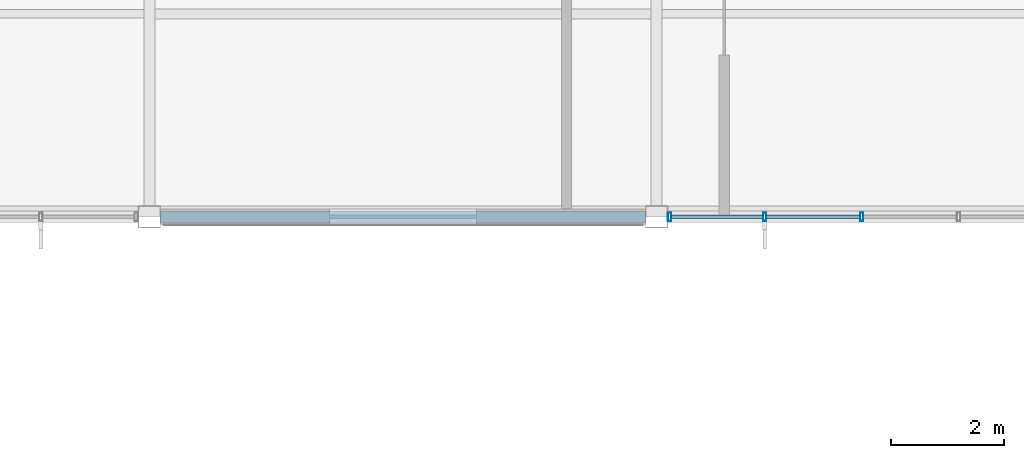
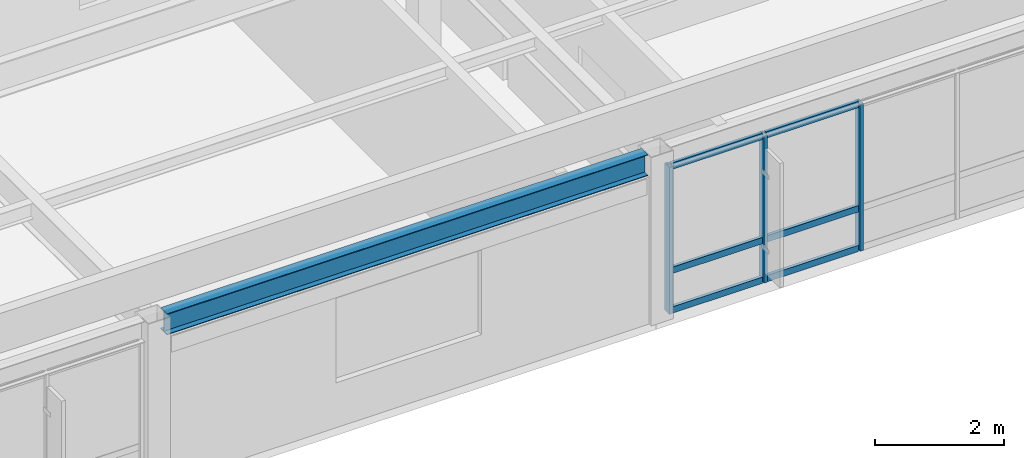
# One storey, part 5 of 43: 9 members, 1 beam, 1 element without a shape of its own.
"""IFC4 building model written with IfcOpenShell, lengths in metres."""

from ifc_helpers import new_model, si_unit, direction, frame, origin, origin_2d, place, context, subcontext, project, spatial, hollow_rectangle, i_section, extrude, material, material_profile, profile_set, type_object, element, aggregate, save


model = new_model("IFC4")

# Units and contexts
model_context = context("Model", 3, precision=1e-05, world=origin(), true_north=direction((0.0, 1.0)))
body_context = subcontext(model_context, "Body", "Model", "MODEL_VIEW")
ifc_project = project(units=[si_unit("LENGTHUNIT", "METRE"), si_unit("AREAUNIT", "SQUARE_METRE"), si_unit("VOLUMEUNIT", "CUBIC_METRE"), si_unit("PLANEANGLEUNIT", "RADIAN"), si_unit("MASSUNIT", "GRAM", prefix="KILO")], contexts=[model_context])

# Site, building, storey
site_placement = place(None, origin())
site = spatial("IfcSite", under=ifc_project, at=site_placement, CompositionType="ELEMENT")
building_placement = place(site_placement, origin())
building = spatial("IfcBuilding", under=site, at=building_placement, Name="Kazanami Central Library", CompositionType="ELEMENT")
storey_placement = place(building_placement, frame((0.0, 0.0, 20.60009765625)))
storey = spatial("IfcBuildingStorey", under=building, at=storey_placement, Name="L06", CompositionType="ELEMENT", Elevation=20.60009765625)

# Beam
ifc_material_1 = material(Name="Steel SN490B (325 MPa)", Category="steel")
ifc_material_profile_1 = material_profile(ifc_material_1, i_section(OverallWidth=0.199951171875, OverallDepth=0.39990234375, WebThickness=0.008056640625, FlangeThickness=0.012939453125, at=origin_2d()), Name="H-400x200x8x13")
ifc_profile_set_1 = profile_set([ifc_material_profile_1], Name="Steel SN490B (325 MPa)")
beam_type = type_object("IfcBeamType", Name="BM-SP-3", PredefinedType="SPANDREL", material=ifc_profile_set_1)
beam_placement = place(storey_placement, frame((9.197998046875, 64.800048828125, 2.97998046875), z_axis=(1.0, 0.0, 0.0), x_axis=(0.0, 1.0, 0.0)))
element("IfcBeam", 1, at=beam_placement, inside=storey, type_object=beam_type, Name="Girder SP-3 L06 K/2-3", PredefinedType="SPANDREL", context=body_context, shape_type="SweptSolid", body=[
    extrude(i_section(OverallWidth=0.199951171875, OverallDepth=0.39990234375, WebThickness=0.008056640625, FlangeThickness=0.012939453125, at=origin_2d()), origin(), (0.0, 0.0, 1.0), 8.60400390625),
])

# Curtain wall, members
ifc_material_2 = material(Name="Acid-Etched Low-E Laminated Glass", Category="glass")
curtain_wall_type = type_object("IfcCurtainWallType", Name="CW-8600x2780-M180", PredefinedType="USERDEFINED", material=ifc_material_2)
curtain_wall_placement = place(storey_placement, origin())
curtain_wall = element("IfcCurtainWall", 2, at=curtain_wall_placement, inside=storey, type_object=curtain_wall_type, Name="Unitised Curtain Wall CW-57 L06 S-K-02", ObjectType="UNITISED CURTAIN WALL", PredefinedType="USERDEFINED")
ifc_material_3 = material(Name="Anodised Aluminium A6063-T5", Category="aluminium")
ifc_material_profile_2 = material_profile(ifc_material_3, hollow_rectangle(XDim=0.06005859375, YDim=0.14990234375, WallThickness=0.00390625, at=origin_2d()), Name="ALU-MULL-60x150x4")
ifc_profile_set_2 = profile_set([ifc_material_profile_2], Name="Anodised Aluminium A6063-T5")
member_type_1 = type_object("IfcMemberType", Name="MEM-CW-M3", PredefinedType="MULLION", material=ifc_profile_set_2)
member_1_placement = place(storey_placement, frame((18.22998046875, 64.800048828125, 0.0), z_axis=(0.0, 0.0, 1.0), x_axis=(1.0, 0.0, 0.0)))
member_1 = element("IfcMember", 3, at=member_1_placement, type_object=member_type_1, Name="CW-57 mullion 1", PredefinedType="MULLION", context=body_context, shape_type="SweptSolid", body=[
    extrude(hollow_rectangle(XDim=0.06005859375, YDim=0.14990234375, WallThickness=0.00390625, at=origin_2d()), origin(), (0.0, 0.0, 1.0), 2.77978515625),
])
member_2_placement = place(storey_placement, frame((19.919921875, 64.800048828125, 0.0), z_axis=(0.0, 0.0, 1.0), x_axis=(1.0, 0.0, 0.0)))
member_2 = element("IfcMember", 4, at=member_2_placement, type_object=member_type_1, Name="CW-57 mullion 2", PredefinedType="MULLION", context=body_context, shape_type="SweptSolid", body=[
    extrude(hollow_rectangle(XDim=0.06005859375, YDim=0.14990234375, WallThickness=0.00390625, at=origin_2d()), origin(), (0.0, 0.0, 1.0), 2.77978515625),
])
member_3_placement = place(storey_placement, frame((21.639892578125, 64.800048828125, 0.0), z_axis=(0.0, 0.0, 1.0), x_axis=(1.0, 0.0, 0.0)))
member_3 = element("IfcMember", 5, at=member_3_placement, type_object=member_type_1, Name="CW-57 mullion 3", PredefinedType="MULLION", context=body_context, shape_type="SweptSolid", body=[
    extrude(hollow_rectangle(XDim=0.06005859375, YDim=0.14990234375, WallThickness=0.00390625, at=origin_2d()), origin(), (0.0, 0.0, 1.0), 2.77978515625),
])
ifc_material_profile_3 = material_profile(ifc_material_3, hollow_rectangle(XDim=0.06005859375, YDim=0.1201171875, WallThickness=0.00341796875, at=origin_2d()), Name="ALU-TRAN-60x120x3.5")
ifc_profile_set_3 = profile_set([ifc_material_profile_3], Name="Anodised Aluminium A6063-T5")
member_type_2 = type_object("IfcMemberType", Name="MEM-CW-T3", PredefinedType="USERDEFINED", material=ifc_profile_set_3)
member_4_placement = place(storey_placement, frame((18.260009765625, 64.800048828125, 0.02978515625), z_axis=(1.0, 0.0, 0.0), x_axis=(0.0, 1.0, 0.0)))
member_4 = element("IfcMember", 6, at=member_4_placement, type_object=member_type_2, Name="CW-57 transom 1.1", ObjectType="TRANSOM", PredefinedType="USERDEFINED", context=body_context, shape_type="SweptSolid", body=[
    extrude(hollow_rectangle(XDim=0.06005859375, YDim=0.1201171875, WallThickness=0.00341796875, at=origin_2d()), origin(), (0.0, 0.0, 1.0), 1.6298828125),
])
member_5_placement = place(storey_placement, frame((18.260009765625, 64.800048828125, 0.77978515625), z_axis=(1.0, 0.0, 0.0), x_axis=(0.0, 1.0, 0.0)))
member_5 = element("IfcMember", 7, at=member_5_placement, type_object=member_type_2, Name="CW-57 transom 1.2", ObjectType="TRANSOM", PredefinedType="USERDEFINED", context=body_context, shape_type="SweptSolid", body=[
    extrude(hollow_rectangle(XDim=0.06005859375, YDim=0.1201171875, WallThickness=0.00341796875, at=origin_2d()), origin(), (0.0, 0.0, 1.0), 1.6298828125),
])
member_6_placement = place(storey_placement, frame((18.260009765625, 64.800048828125, 2.75), z_axis=(1.0, 0.0, 0.0), x_axis=(0.0, 1.0, 0.0)))
member_6 = element("IfcMember", 8, at=member_6_placement, type_object=member_type_2, Name="CW-57 transom 1.3", ObjectType="TRANSOM", PredefinedType="USERDEFINED", context=body_context, shape_type="SweptSolid", body=[
    extrude(hollow_rectangle(XDim=0.06005859375, YDim=0.1201171875, WallThickness=0.00341796875, at=origin_2d()), origin(), (0.0, 0.0, 1.0), 1.6298828125),
])
member_7_placement = place(storey_placement, frame((19.949951171875, 64.800048828125, 0.02978515625), z_axis=(1.0, 0.0, 0.0), x_axis=(0.0, 1.0, 0.0)))
member_7 = element("IfcMember", 9, at=member_7_placement, type_object=member_type_2, Name="CW-57 transom 2.1", ObjectType="TRANSOM", PredefinedType="USERDEFINED", context=body_context, shape_type="SweptSolid", body=[
    extrude(hollow_rectangle(XDim=0.06005859375, YDim=0.1201171875, WallThickness=0.00341796875, at=origin_2d()), origin(), (0.0, 0.0, 1.0), 1.66015625),
])
member_8_placement = place(storey_placement, frame((19.949951171875, 64.800048828125, 0.77978515625), z_axis=(1.0, 0.0, 0.0), x_axis=(0.0, 1.0, 0.0)))
member_8 = element("IfcMember", 10, at=member_8_placement, type_object=member_type_2, Name="CW-57 transom 2.2", ObjectType="TRANSOM", PredefinedType="USERDEFINED", context=body_context, shape_type="SweptSolid", body=[
    extrude(hollow_rectangle(XDim=0.06005859375, YDim=0.1201171875, WallThickness=0.00341796875, at=origin_2d()), origin(), (0.0, 0.0, 1.0), 1.66015625),
])
member_9_placement = place(storey_placement, frame((19.949951171875, 64.800048828125, 2.75), z_axis=(1.0, 0.0, 0.0), x_axis=(0.0, 1.0, 0.0)))
member_9 = element("IfcMember", 11, at=member_9_placement, type_object=member_type_2, Name="CW-57 transom 2.3", ObjectType="TRANSOM", PredefinedType="USERDEFINED", context=body_context, shape_type="SweptSolid", body=[
    extrude(hollow_rectangle(XDim=0.06005859375, YDim=0.1201171875, WallThickness=0.00341796875, at=origin_2d()), origin(), (0.0, 0.0, 1.0), 1.66015625),
])
aggregate(curtain_wall, [member_1, member_2, member_3, member_4, member_5, member_6, member_7, member_8, member_9])

save(model, "model.ifc")
